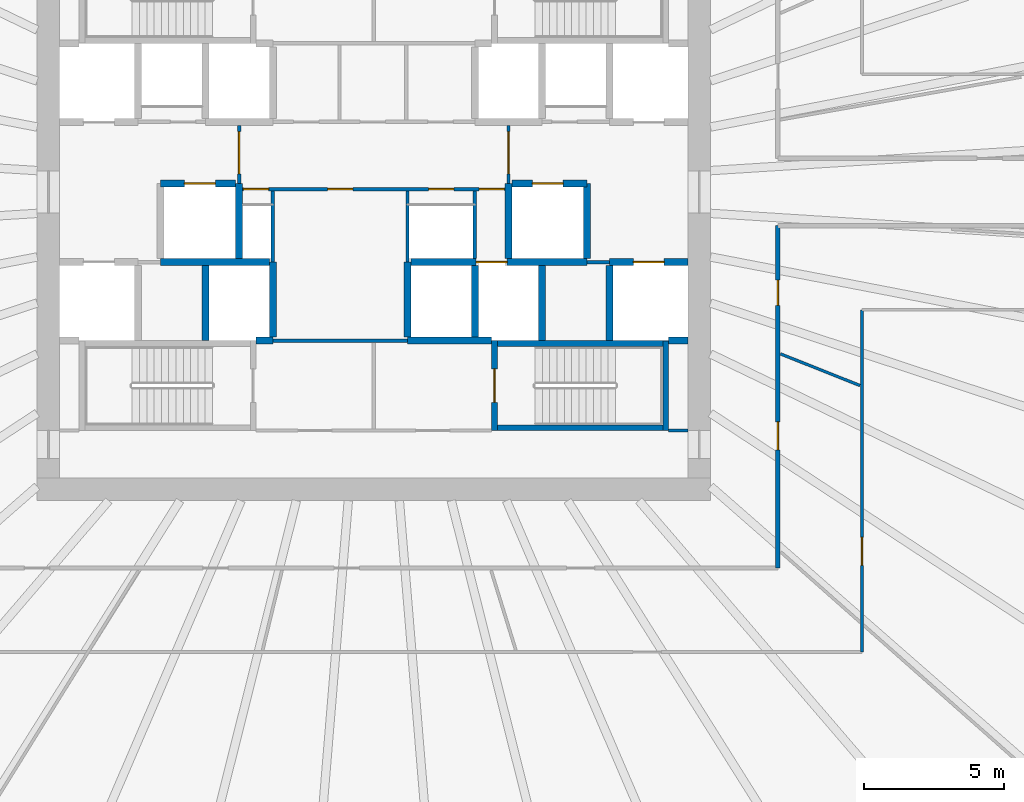
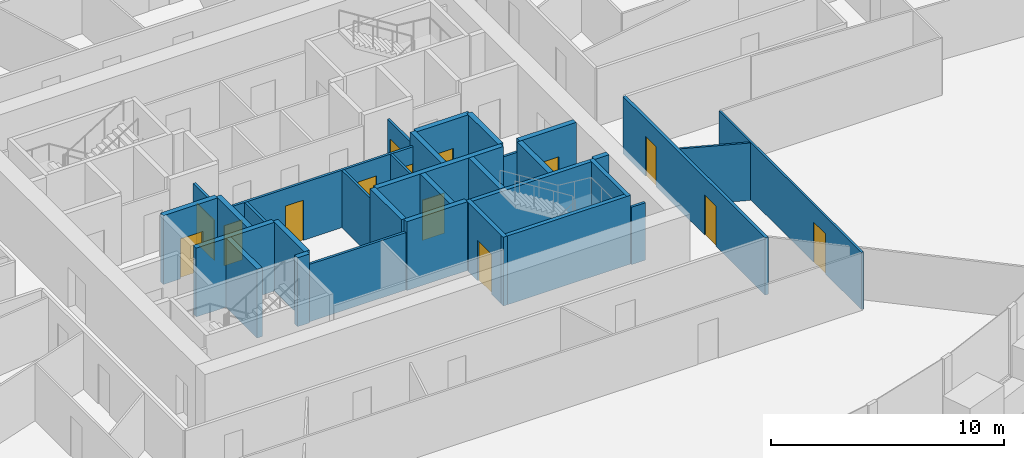
# One storey, part 7 of 11: 33 walls, 14 doors, 14 openings.
"""IFC4 building model written with IfcOpenShell, lengths in metres."""

from ifc_helpers import new_model, si_unit, direction, frame, frame_2d, origin, place, context, subcontext, project, spatial, rectangle, extrude, source, transform, mapped, material, layer, layer_set, type_object, element, fill, save


model = new_model("IFC4")

# Units and contexts
model_context = context("Model", 3, precision=1e-05, world=origin(), true_north=direction((0.0, 1.0)))
body_context = subcontext(model_context, "Body", "Model", "MODEL_VIEW")
ifc_project = project(units=[si_unit("LENGTHUNIT", "METRE"), si_unit("AREAUNIT", "SQUARE_METRE"), si_unit("VOLUMEUNIT", "CUBIC_METRE"), si_unit("PLANEANGLEUNIT", "RADIAN"), si_unit("MASSUNIT", "GRAM", prefix="KILO")], contexts=[model_context])

# Site, building, storey
site_placement = place(None, origin())
site = spatial("IfcSite", under=ifc_project, at=site_placement, CompositionType="ELEMENT")
building_placement = place(site_placement, origin())
building = spatial("IfcBuilding", under=site, at=building_placement, Name="Embergate Tower", CompositionType="ELEMENT")
storey_placement = place(building_placement, frame((0.0, 0.0, 143.699951171875)))
storey = spatial("IfcBuildingStorey", under=building, at=storey_placement, Name="L31", CompositionType="ELEMENT", Elevation=143.699951171875)

# Walls
ifc_material_1 = material(Name="Concrete C50", Category="concrete")
ifc_layer_1 = layer(ifc_material_1, 0.25)
ifc_layer_set_1 = layer_set([ifc_layer_1], Name="Concrete C50")
wall_type_1 = type_object("IfcWallType", Name="Hoistway wall reinforced concrete 250", PredefinedType="SHEAR", material=ifc_layer_set_1)
shared_shape_1 = source(origin(), body_context, "Body", "SweptSolid", [
    extrude(rectangle(XDim=2.675048828125, YDim=0.25, at=frame_2d((1.33740234375, 0.0))), origin(), (0.0, 0.0, 1.0), 3.60009765625),
])
for number, where, z_axis, x_axis, name in (
    (1, (-3.60009765625, -5.175048828125, 0.0), (0.0, 0.0, 1.0), (0.0, 1.0, 0.0), "HW-1 wall"),
    (2, (1.199951171875, -2.5, 0.0), (0.0, 0.0, 1.0), (0.0, -1.0, 0.0), "HW-1 wall"),
    (3, (-4.800048828125, 0.300048828125, 0.0), (0.0, 0.0, 1.0), (0.0, -1.0, 0.0), "HW-1 wall"),
    (4, (4.800048828125, -2.375, 0.0), (0.0, 0.0, 1.0), (0.0, 1.0, 0.0), "HW-1 wall"),
):
    element("IfcWall", number, at=place(storey_placement, frame(where, z_axis=z_axis, x_axis=x_axis)), inside=storey, type_object=wall_type_1, Name=name, PredefinedType="SHEAR", context=body_context, shape_type="MappedRepresentation", body=[
        mapped(shared_shape_1, transform((0.0, 0.0, 0.0))),
    ])

# Wall, opening, door
wall_1_placement = place(storey_placement, frame((-4.925048828125, 0.300048828125, 0.0), z_axis=(0.0, 0.0, 1.0), x_axis=(-1.0, 0.0, 0.0)))
wall_1 = element("IfcWall", 5, at=wall_1_placement, inside=storey, type_object=wall_type_1, Name="HW-1 wall", PredefinedType="SHEAR", context=body_context, shape_type="MappedRepresentation", body=[
    mapped(shared_shape_1, transform((0.0, 0.0, 0.0))),
])
shared_shape_2 = source(origin(), body_context, "Body", "SweptSolid", [
    extrude(rectangle(XDim=1.10009765625, YDim=2.10009765625, at=frame_2d((0.550048828125, 1.050048828125))), frame((0.0, 0.135009765625, 0.0), z_axis=(0.0, -1.0, 0.0), x_axis=(1.0, 0.0, 0.0)), (0.0, 0.0, 1.0), 0.27001953125),
])
opening_1_placement = place(wall_1_placement, frame((0.72509765625, 0.0, 0.0)))
opening_1 = element("IfcOpeningElement", 6, at=opening_1_placement, cuts=wall_1, Name="Opening LD", PredefinedType="OPENING", context=body_context, shape_type="MappedRepresentation", body=[
    mapped(shared_shape_2, transform((0.0, 0.0, 0.0))),
])
ifc_material_2 = material(Name="Landing door sliding 1100")
door_type_1 = type_object("IfcDoorType", Name="Landing door sliding 1100", OperationType="SLIDING_TO_LEFT", PredefinedType="DOOR", material=ifc_material_2)
shared_shape_3 = source(origin(), body_context, "Body", "SweptSolid", [
    extrude(rectangle(XDim=1.10009765625, YDim=2.10009765625, at=frame_2d((0.550048828125, 1.050048828125))), frame((0.0, 0.02490234375, 0.0), z_axis=(0.0, -1.0, 0.0), x_axis=(1.0, 0.0, 0.0)), (0.0, 0.0, 1.0), 0.050048828125),
])
door_1_placement = place(opening_1_placement, origin())
door_1 = element("IfcDoor", 7, at=door_1_placement, inside=storey, type_object=door_type_1, Name="LD door", OperationType="SLIDING_TO_RIGHT", OverallHeight=2.10009765625, OverallWidth=1.10009765625, PredefinedType="DOOR", context=body_context, shape_type="MappedRepresentation", body=[
    mapped(shared_shape_3, transform((0.0, 0.0, 0.0))),
])
fill(opening_1, door_1)

wall_2_placement = place(storey_placement, frame((7.60009765625, 0.300048828125, 0.0), z_axis=(0.0, 0.0, 1.0), x_axis=(-1.0, 0.0, 0.0)))
wall_2 = element("IfcWall", 8, at=wall_2_placement, inside=storey, type_object=wall_type_1, Name="HW-1 wall", PredefinedType="SHEAR", context=body_context, shape_type="MappedRepresentation", body=[
    mapped(shared_shape_1, transform((0.0, 0.0, 0.0))),
])
opening_2_placement = place(wall_2_placement, frame((0.85009765625, 0.0, 0.0)))
opening_2 = element("IfcOpeningElement", 9, at=opening_2_placement, cuts=wall_2, Name="Opening LD", PredefinedType="OPENING", context=body_context, shape_type="MappedRepresentation", body=[
    mapped(shared_shape_2, transform((0.0, 0.0, 0.0))),
])
door_2_placement = place(opening_2_placement, origin())
door_2 = element("IfcDoor", 10, at=door_2_placement, inside=storey, type_object=door_type_1, Name="LD door", OperationType="SLIDING_TO_LEFT", OverallHeight=2.10009765625, OverallWidth=1.10009765625, PredefinedType="DOOR", context=body_context, shape_type="MappedRepresentation", body=[
    mapped(shared_shape_3, transform((0.0, 0.0, 0.0))),
])
fill(opening_2, door_2)

# Walls
wall_3_placement = place(storey_placement, frame((7.60009765625, -2.375, 0.0), z_axis=(0.0, 0.0, 1.0), x_axis=(0.0, 1.0, 0.0)))
element("IfcWall", 11, at=wall_3_placement, inside=storey, type_object=wall_type_1, Name="HW-1 wall", PredefinedType="SHEAR", context=body_context, shape_type="MappedRepresentation", body=[
    mapped(shared_shape_1, transform((0.0, 0.0, 0.0))),
])
ifc_layer_2 = layer(ifc_material_1, 0.199951171875)
ifc_layer_set_2 = layer_set([ifc_layer_2], Name="Concrete C50")
wall_type_2 = type_object("IfcWallType", Name="Stair enclosure wall reinforced concrete 250", PredefinedType="SHEAR", material=ifc_layer_set_2)
shared_shape_4 = source(origin(), body_context, "Body", "SweptSolid", [
    extrude(rectangle(XDim=6.300048828125, YDim=0.199951171875, at=frame_2d((3.14990234375, 0.0))), origin(), (0.0, 0.0, 1.0), 3.60009765625),
])
for number, where, z_axis, x_axis, name in (
    (12, (4.199951171875, -5.39990234375, 0.0), (0.0, 0.0, 1.0), (1.0, 0.0, 0.0), "SE-1 wall"),
    (13, (4.199951171875, -8.39990234375, 0.0), (0.0, 0.0, 1.0), (1.0, 0.0, 0.0), "SE-1 wall"),
):
    element("IfcWall", number, at=place(storey_placement, frame(where, z_axis=z_axis, x_axis=x_axis)), inside=storey, type_object=wall_type_2, Name=name, PredefinedType="SHEAR", context=body_context, shape_type="MappedRepresentation", body=[
        mapped(shared_shape_4, transform((0.0, 0.0, 0.0))),
    ])
shared_shape_5 = source(origin(), body_context, "Body", "SweptSolid", [
    extrude(rectangle(XDim=2.550048828125, YDim=0.25, at=frame_2d((1.27490234375, 0.0))), origin(), (0.0, 0.0, 1.0), 3.60009765625),
])
wall_4_placement = place(storey_placement, frame((3.60009765625, -5.175048828125, 0.0), z_axis=(0.0, 0.0, 1.0), x_axis=(0.0, 1.0, 0.0)))
element("IfcWall", 14, at=wall_4_placement, inside=storey, type_object=wall_type_1, Name="HW-1 wall", PredefinedType="SHEAR", context=body_context, shape_type="MappedRepresentation", body=[
    mapped(shared_shape_5, transform((0.0, 0.0, 0.0))),
])

# Wall, opening, door
ifc_material_3 = material(Name="Core partition blockwork 120")
ifc_layer_3 = layer(ifc_material_3, 0.1201171875)
ifc_layer_set_3 = layer_set([ifc_layer_3], Name="Core partition blockwork 120")
wall_type_3 = type_object("IfcWallType", Name="Core partition blockwork 120", PredefinedType="PARTITIONING", material=ifc_layer_set_3)
shared_shape_6 = source(origin(), body_context, "Body", "SweptSolid", [
    extrude(rectangle(XDim=2.074951171875, YDim=0.1201171875, at=frame_2d((1.03759765625, 0.0))), origin(), (0.0, 0.0, 1.0), 3.0),
])
wall_5_placement = place(storey_placement, frame((-4.800048828125, 2.375, 0.0), z_axis=(0.0, 0.0, 1.0), x_axis=(0.0, -1.0, 0.0)))
wall_5 = element("IfcWall", 15, at=wall_5_placement, inside=storey, type_object=wall_type_3, Name="IP-3 wall", PredefinedType="PARTITIONING", context=body_context, shape_type="MappedRepresentation", body=[
    mapped(shared_shape_6, transform((0.0, 0.0, 0.0))),
])
shared_shape_7 = source(origin(), body_context, "Body", "SweptSolid", [
    extrude(rectangle(XDim=1.5, YDim=2.10009765625, at=frame_2d((0.75, 1.050048828125))), frame((0.0, 0.070068359375, 0.0), z_axis=(0.0, -1.0, 0.0), x_axis=(1.0, 0.0, 0.0)), (0.0, 0.0, 1.0), 0.14013671875),
])
opening_3_placement = place(wall_5_placement, frame((0.22509765625, 0.0, 0.0)))
opening_3 = element("IfcOpeningElement", 16, at=opening_3_placement, cuts=wall_5, Name="Opening IF-3", PredefinedType="OPENING", context=body_context, shape_type="MappedRepresentation", body=[
    mapped(shared_shape_7, transform((0.0, 0.0, 0.0))),
])
ifc_material_4 = material(Name="Lobby fire door pair 1500")
door_type_2 = type_object("IfcDoorType", Name="Lobby fire door pair 1500", OperationType="DOUBLE_DOOR_SINGLE_SWING", PredefinedType="DOOR", material=ifc_material_4)
shared_shape_8 = source(origin(), body_context, "Body", "SweptSolid", [
    extrude(rectangle(XDim=1.5, YDim=2.10009765625, at=frame_2d((0.75, 1.050048828125))), frame((0.0, 0.02490234375, 0.0), z_axis=(0.0, -1.0, 0.0), x_axis=(1.0, 0.0, 0.0)), (0.0, 0.0, 1.0), 0.050048828125),
])
door_3_placement = place(opening_3_placement, origin())
door_3 = element("IfcDoor", 17, at=door_3_placement, inside=storey, type_object=door_type_2, Name="IF-3 door", OperationType="DOUBLE_DOOR_SINGLE_SWING", OverallHeight=2.10009765625, OverallWidth=1.5, PredefinedType="DOOR", context=body_context, shape_type="MappedRepresentation", body=[
    mapped(shared_shape_8, transform((0.0, 0.0, 0.0))),
])
fill(opening_3, door_3)

wall_6_placement = place(storey_placement, frame((4.800048828125, 0.300048828125, 0.0), z_axis=(0.0, 0.0, 1.0), x_axis=(0.0, 1.0, 0.0)))
wall_6 = element("IfcWall", 18, at=wall_6_placement, inside=storey, type_object=wall_type_3, Name="IP-3 wall", PredefinedType="PARTITIONING", context=body_context, shape_type="MappedRepresentation", body=[
    mapped(shared_shape_6, transform((0.0, 0.0, 0.0))),
])
opening_4_placement = place(wall_6_placement, frame((0.35009765625, 0.0, 0.0)))
opening_4 = element("IfcOpeningElement", 19, at=opening_4_placement, cuts=wall_6, Name="Opening IF-3", PredefinedType="OPENING", context=body_context, shape_type="MappedRepresentation", body=[
    mapped(shared_shape_7, transform((0.0, 0.0, 0.0))),
])
door_4_placement = place(opening_4_placement, origin())
door_4 = element("IfcDoor", 20, at=door_4_placement, inside=storey, type_object=door_type_2, Name="IF-3 door", OperationType="DOUBLE_DOOR_SINGLE_SWING", OverallHeight=2.10009765625, OverallWidth=1.5, PredefinedType="DOOR", context=body_context, shape_type="MappedRepresentation", body=[
    mapped(shared_shape_8, transform((0.0, 0.0, 0.0))),
])
fill(opening_4, door_4)

shared_shape_9 = source(origin(), body_context, "Body", "SweptSolid", [
    extrude(rectangle(XDim=3.199951171875, YDim=0.199951171875, at=frame_2d((1.60009765625, 0.0))), origin(), (0.0, 0.0, 1.0), 3.60009765625),
])
wall_7_placement = place(storey_placement, frame((4.300048828125, -5.300048828125, 0.0), z_axis=(0.0, 0.0, 1.0), x_axis=(0.0, -1.0, 0.0)))
wall_7 = element("IfcWall", 21, at=wall_7_placement, inside=storey, type_object=wall_type_2, Name="SE-1 wall", PredefinedType="SHEAR", context=body_context, shape_type="MappedRepresentation", body=[
    mapped(shared_shape_9, transform((0.0, 0.0, 0.0))),
])
shared_shape_10 = source(origin(), body_context, "Body", "SweptSolid", [
    extrude(rectangle(XDim=1.199951171875, YDim=2.10009765625, at=frame_2d((0.60009765625, 1.050048828125))), frame((0.0, 0.10986328125, 0.0), z_axis=(0.0, -1.0, 0.0), x_axis=(1.0, 0.0, 0.0)), (0.0, 0.0, 1.0), 0.219970703125),
])
opening_5_placement = place(wall_7_placement, frame((1.0, 0.0, 0.0)))
opening_5 = element("IfcOpeningElement", 22, at=opening_5_placement, cuts=wall_7, Name="Opening IF-2", PredefinedType="OPENING", context=body_context, shape_type="MappedRepresentation", body=[
    mapped(shared_shape_10, transform((0.0, 0.0, 0.0))),
])
ifc_material_5 = material(Name="Stair enclosure door 1200")
door_type_3 = type_object("IfcDoorType", Name="Stair enclosure door 1200", OperationType="SINGLE_SWING_LEFT", PredefinedType="DOOR", material=ifc_material_5)
shared_shape_11 = source(origin(), body_context, "Body", "SweptSolid", [
    extrude(rectangle(XDim=1.199951171875, YDim=2.10009765625, at=frame_2d((0.60009765625, 1.050048828125))), frame((0.0, 0.02490234375, 0.0), z_axis=(0.0, -1.0, 0.0), x_axis=(1.0, 0.0, 0.0)), (0.0, 0.0, 1.0), 0.050048828125),
])
door_5_placement = place(opening_5_placement, origin())
door_5 = element("IfcDoor", 23, at=door_5_placement, inside=storey, type_object=door_type_3, Name="IF-2 door", OperationType="SINGLE_SWING_LEFT", OverallHeight=2.10009765625, OverallWidth=1.199951171875, PredefinedType="DOOR", context=body_context, shape_type="MappedRepresentation", body=[
    mapped(shared_shape_11, transform((0.0, 0.0, 0.0))),
])
fill(opening_5, door_5)

# Wall, openings, doors
ifc_material_6 = material(Name="Corridor wall dry-lined 150")
ifc_layer_4 = layer(ifc_material_6, 0.14990234375)
ifc_layer_set_4 = layer_set([ifc_layer_4], Name="Corridor wall dry-lined 150")
wall_type_4 = type_object("IfcWallType", Name="Corridor wall dry-lined 150", PredefinedType="PARTITIONING", material=ifc_layer_set_4)
shared_shape_12 = source(origin(), body_context, "Body", "SweptSolid", [
    extrude(rectangle(XDim=12.199951171875, YDim=0.14990234375, at=frame_2d((6.10009765625, 0.0))), origin(), (0.0, 0.0, 1.0), 3.0),
])
wall_8_placement = place(storey_placement, frame((14.39990234375, -1.199951171875, 0.0), z_axis=(0.0, 0.0, 1.0), x_axis=(0.0, -1.0, 0.0)))
wall_8 = element("IfcWall", 24, at=wall_8_placement, inside=storey, type_object=wall_type_4, Name="IP-2 wall", PredefinedType="PARTITIONING", context=body_context, shape_type="MappedRepresentation", body=[
    mapped(shared_shape_12, transform((0.0, 0.0, 0.0))),
])
shared_shape_13 = source(origin(), body_context, "Body", "SweptSolid", [
    extrude(rectangle(XDim=1.0, YDim=2.10009765625, at=frame_2d((0.5, 1.050048828125))), frame((0.0, 0.0849609375, 0.0), z_axis=(0.0, -1.0, 0.0), x_axis=(1.0, 0.0, 0.0)), (0.0, 0.0, 1.0), 0.169921875),
])
opening_6_placement = place(wall_8_placement, frame((6.993896484375, 0.0, 0.0)))
opening_6 = element("IfcOpeningElement", 25, at=opening_6_placement, cuts=wall_8, Name="Opening ID-2", PredefinedType="OPENING", context=body_context, shape_type="MappedRepresentation", body=[
    mapped(shared_shape_13, transform((0.0, 0.0, 0.0))),
])
shared_shape_14 = source(origin(), body_context, "Body", "SweptSolid", [
    extrude(rectangle(XDim=0.89990234375, YDim=2.10009765625, at=frame_2d((0.449951171875, 1.050048828125))), frame((0.0, 0.0849609375, 0.0), z_axis=(0.0, -1.0, 0.0), x_axis=(1.0, 0.0, 0.0)), (0.0, 0.0, 1.0), 0.169921875),
])
opening_7_placement = place(wall_8_placement, frame((1.93994140625, 0.0, 0.0)))
opening_7 = element("IfcOpeningElement", 26, at=opening_7_placement, cuts=wall_8, Name="Opening IF-1c", PredefinedType="OPENING", context=body_context, shape_type="MappedRepresentation", body=[
    mapped(shared_shape_14, transform((0.0, 0.0, 0.0))),
])
ifc_material_7 = material(Name="Escape fire door 900")
door_type_4 = type_object("IfcDoorType", Name="Escape fire door 900", OperationType="SINGLE_SWING_LEFT", PredefinedType="DOOR", material=ifc_material_7)
shared_shape_15 = source(origin(), body_context, "Body", "SweptSolid", [
    extrude(rectangle(XDim=0.89990234375, YDim=2.10009765625, at=frame_2d((0.449951171875, 1.050048828125))), frame((0.0, 0.02490234375, 0.0), z_axis=(0.0, -1.0, 0.0), x_axis=(1.0, 0.0, 0.0)), (0.0, 0.0, 1.0), 0.050048828125),
])
door_6_placement = place(opening_7_placement, origin())
door_6 = element("IfcDoor", 27, at=door_6_placement, inside=storey, type_object=door_type_4, Name="IF-1 door", OperationType="SINGLE_SWING_RIGHT", OverallHeight=2.10009765625, OverallWidth=0.89990234375, PredefinedType="DOOR", context=body_context, shape_type="MappedRepresentation", body=[
    mapped(shared_shape_15, transform((0.0, 0.0, 0.0))),
])
fill(opening_7, door_6)
ifc_material_8 = material(Name="Interior door 1000")
door_type_5 = type_object("IfcDoorType", Name="Interior door 1000", OperationType="SINGLE_SWING_LEFT", PredefinedType="DOOR", material=ifc_material_8)
shared_shape_16 = source(origin(), body_context, "Body", "SweptSolid", [
    extrude(rectangle(XDim=1.0, YDim=2.10009765625, at=frame_2d((0.5, 1.050048828125))), frame((0.0, 0.02490234375, 0.0), z_axis=(0.0, -1.0, 0.0), x_axis=(1.0, 0.0, 0.0)), (0.0, 0.0, 1.0), 0.050048828125),
])
door_7_placement = place(opening_6_placement, origin())
door_7 = element("IfcDoor", 28, at=door_7_placement, inside=storey, type_object=door_type_5, Name="ID-2 door", OperationType="SINGLE_SWING_LEFT", OverallHeight=2.10009765625, OverallWidth=1.0, PredefinedType="DOOR", context=body_context, shape_type="MappedRepresentation", body=[
    mapped(shared_shape_16, transform((0.0, 0.0, 0.0))),
])
fill(opening_6, door_7)

# Wall, opening, door
ifc_material_9 = material(Name="Partition dry-lined 100")
ifc_layer_5 = layer(ifc_material_9, 0.10009765625)
ifc_layer_set_5 = layer_set([ifc_layer_5], Name="Partition dry-lined 100")
wall_type_5 = type_object("IfcWallType", Name="Partition dry-lined 100", PredefinedType="PARTITIONING", material=ifc_layer_set_5)
shared_shape_17 = source(origin(), body_context, "Body", "SweptSolid", [
    extrude(rectangle(XDim=12.199951171875, YDim=0.10009765625, at=frame_2d((6.10009765625, 0.0))), origin(), (0.0, 0.0, 1.0), 3.0),
])
wall_9_placement = place(storey_placement, frame((17.39990234375, -4.199951171875, 0.0), z_axis=(0.0, 0.0, 1.0), x_axis=(0.0, -1.0, 0.0)))
wall_9 = element("IfcWall", 29, at=wall_9_placement, inside=storey, type_object=wall_type_5, Name="IP-1 wall", PredefinedType="PARTITIONING", context=body_context, shape_type="MappedRepresentation", body=[
    mapped(shared_shape_17, transform((0.0, 0.0, 0.0))),
])
shared_shape_18 = source(origin(), body_context, "Body", "SweptSolid", [
    extrude(rectangle(XDim=1.0, YDim=2.10009765625, at=frame_2d((0.5, 1.050048828125))), frame((0.0, 0.06005859375, 0.0), z_axis=(0.0, -1.0, 0.0), x_axis=(1.0, 0.0, 0.0)), (0.0, 0.0, 1.0), 0.1201171875),
])
opening_8_placement = place(wall_9_placement, frame((8.10498046875, 0.0, 0.0)))
opening_8 = element("IfcOpeningElement", 30, at=opening_8_placement, cuts=wall_9, Name="Opening ID-2", PredefinedType="OPENING", context=body_context, shape_type="MappedRepresentation", body=[
    mapped(shared_shape_18, transform((0.0, 0.0, 0.0))),
])
door_8_placement = place(opening_8_placement, origin())
door_8 = element("IfcDoor", 31, at=door_8_placement, inside=storey, type_object=door_type_5, Name="ID-2 door", OperationType="SINGLE_SWING_RIGHT", OverallHeight=2.10009765625, OverallWidth=1.0, PredefinedType="DOOR", context=body_context, shape_type="MappedRepresentation", body=[
    mapped(shared_shape_16, transform((0.0, 0.0, 0.0))),
])
fill(opening_8, door_8)

# Wall
shared_shape_19 = source(origin(), body_context, "Body", "SweptSolid", [
    extrude(rectangle(XDim=3.0546875, YDim=0.10009765625, at=frame_2d((1.52734375, 0.0))), origin(), (0.0, 0.0, 1.0), 3.0),
])
wall_10_placement = place(storey_placement, frame((17.3310546875, -6.89892578125, 0.0), z_axis=(0.0, 0.0, 1.0), x_axis=(-0.929081750978, 0.369874438153, 0.0)))
element("IfcWall", 32, at=wall_10_placement, inside=storey, type_object=wall_type_5, Name="IP-1 wall", PredefinedType="PARTITIONING", context=body_context, shape_type="MappedRepresentation", body=[
    mapped(shared_shape_19, transform((0.0, 0.0, 0.0))),
])

# Wall, opening, door
shared_shape_20 = source(origin(), body_context, "Body", "SweptSolid", [
    extrude(rectangle(XDim=2.800048828125, YDim=0.25, at=frame_2d((1.39990234375, 0.0))), origin(), (0.0, 0.0, 1.0), 3.60009765625),
])
wall_11_placement = place(storey_placement, frame((11.199951171875, -2.5, 0.0), z_axis=(0.0, 0.0, 1.0), x_axis=(-1.0, 0.0, 0.0)))
wall_11 = element("IfcWall", 33, at=wall_11_placement, inside=storey, type_object=wall_type_1, Name="HW-1 wall", PredefinedType="SHEAR", context=body_context, shape_type="MappedRepresentation", body=[
    mapped(shared_shape_20, transform((0.0, 0.0, 0.0))),
])
opening_9_placement = place(wall_11_placement, frame((0.85009765625, 0.0, 0.0)))
opening_9 = element("IfcOpeningElement", 34, at=opening_9_placement, cuts=wall_11, Name="Opening LD", PredefinedType="OPENING", context=body_context, shape_type="MappedRepresentation", body=[
    mapped(shared_shape_2, transform((0.0, 0.0, 0.0))),
])
door_9_placement = place(opening_9_placement, origin())
door_9 = element("IfcDoor", 35, at=door_9_placement, inside=storey, type_object=door_type_1, Name="LD door", OperationType="SLIDING_TO_RIGHT", OverallHeight=2.10009765625, OverallWidth=1.10009765625, PredefinedType="DOOR", context=body_context, shape_type="MappedRepresentation", body=[
    mapped(shared_shape_3, transform((0.0, 0.0, 0.0))),
])
fill(opening_9, door_9)

# Walls
shared_shape_21 = source(origin(), body_context, "Body", "SweptSolid", [
    extrude(rectangle(XDim=0.599853515625, YDim=0.25, at=frame_2d((0.2998046875, 0.0))), origin(), (0.0, 0.0, 1.0), 3.60009765625),
])
wall_12_placement = place(storey_placement, frame((-4.199951171875, -5.300048828125, 0.0), z_axis=(0.0, 0.0, 1.0), x_axis=(1.0, 0.0, 0.0)))
element("IfcWall", 36, at=wall_12_placement, inside=storey, type_object=wall_type_1, Name="HW-1 wall", PredefinedType="SHEAR", context=body_context, shape_type="MappedRepresentation", body=[
    mapped(shared_shape_21, transform((0.0, 0.0, 0.0))),
])
shared_shape_22 = source(origin(), body_context, "Body", "SweptSolid", [
    extrude(rectangle(XDim=3.872802734375, YDim=0.25, at=frame_2d((1.9365234375, 0.0))), origin(), (0.0, 0.0, 1.0), 3.60009765625),
])
wall_13_placement = place(storey_placement, frame((-3.72509765625, -2.5, 0.0), z_axis=(0.0, 0.0, 1.0), x_axis=(-1.0, 0.0, 0.0)))
element("IfcWall", 37, at=wall_13_placement, inside=storey, type_object=wall_type_1, Name="HW-1 wall", PredefinedType="SHEAR", context=body_context, shape_type="MappedRepresentation", body=[
    mapped(shared_shape_22, transform((0.0, 0.0, 0.0))),
])

# Wall, opening, door
shared_shape_23 = source(origin(), body_context, "Body", "SweptSolid", [
    extrude(rectangle(XDim=6.27294921875, YDim=0.25, at=frame_2d((3.136474609375, 0.0))), origin(), (0.0, 0.0, 1.0), 3.60009765625),
])
wall_14_placement = place(storey_placement, frame((7.597900390625, -2.5, 0.0), z_axis=(0.0, 0.0, 1.0), x_axis=(-1.0, 0.0, 0.0)))
wall_14 = element("IfcWall", 38, at=wall_14_placement, inside=storey, type_object=wall_type_1, Name="HW-1 wall", PredefinedType="SHEAR", context=body_context, shape_type="MappedRepresentation", body=[
    mapped(shared_shape_23, transform((0.0, 0.0, 0.0))),
])
opening_10_placement = place(wall_14_placement, frame((2.847900390625, 0.0, 0.0)))
opening_10 = element("IfcOpeningElement", 39, at=opening_10_placement, cuts=wall_14, Name="Opening LD", PredefinedType="OPENING", context=body_context, shape_type="MappedRepresentation", body=[
    mapped(shared_shape_2, transform((0.0, 0.0, 0.0))),
])
door_10_placement = place(opening_10_placement, origin())
door_10 = element("IfcDoor", 40, at=door_10_placement, inside=storey, type_object=door_type_1, Name="LD door", OperationType="SLIDING_TO_RIGHT", OverallHeight=2.10009765625, OverallWidth=1.10009765625, PredefinedType="DOOR", context=body_context, shape_type="MappedRepresentation", body=[
    mapped(shared_shape_3, transform((0.0, 0.0, 0.0))),
])
fill(opening_10, door_10)

# Wall
shared_shape_24 = source(origin(), body_context, "Body", "SweptSolid", [
    extrude(rectangle(XDim=3.0, YDim=0.25, at=frame_2d((1.5, 0.0))), origin(), (0.0, 0.0, 1.0), 3.60009765625),
])
wall_15_placement = place(storey_placement, frame((1.199951171875, -5.300048828125, 0.0), z_axis=(0.0, 0.0, 1.0), x_axis=(1.0, 0.0, 0.0)))
element("IfcWall", 41, at=wall_15_placement, inside=storey, type_object=wall_type_1, Name="HW-1 wall", PredefinedType="SHEAR", context=body_context, shape_type="MappedRepresentation", body=[
    mapped(shared_shape_24, transform((0.0, 0.0, 0.0))),
])

# Wall, openings, doors
shared_shape_25 = source(origin(), body_context, "Body", "SweptSolid", [
    extrude(rectangle(XDim=9.35009765625, YDim=0.1201171875, at=frame_2d((4.675048828125, 0.0))), origin(), (0.0, 0.0, 1.0), 3.0),
])
wall_16_placement = place(storey_placement, frame((-4.675048828125, 0.10009765625, 0.0), z_axis=(0.0, 0.0, 1.0), x_axis=(1.0, 0.0, 0.0)))
wall_16 = element("IfcWall", 42, at=wall_16_placement, inside=storey, type_object=wall_type_3, Name="IP-3 wall", PredefinedType="PARTITIONING", context=body_context, shape_type="MappedRepresentation", body=[
    mapped(shared_shape_25, transform((0.0, 0.0, 0.0))),
])
shared_shape_26 = source(origin(), body_context, "Body", "SweptSolid", [
    extrude(rectangle(XDim=0.89990234375, YDim=2.10009765625, at=frame_2d((0.449951171875, 1.050048828125))), frame((0.0, 0.070068359375, 0.0), z_axis=(0.0, -1.0, 0.0), x_axis=(1.0, 0.0, 0.0)), (0.0, 0.0, 1.0), 0.14013671875),
])
opening_11_placement = place(wall_16_placement, frame((8.425048828125, 0.0, 0.0)))
opening_11 = element("IfcOpeningElement", 43, at=opening_11_placement, cuts=wall_16, Name="Opening IF-3c", PredefinedType="OPENING", context=body_context, shape_type="MappedRepresentation", body=[
    mapped(shared_shape_26, transform((0.0, 0.0, 0.0))),
])
opening_12_placement = place(wall_16_placement, frame((0.02490234375, 0.0, 0.0)))
opening_12 = element("IfcOpeningElement", 44, at=opening_12_placement, cuts=wall_16, Name="Opening ID-1", PredefinedType="OPENING", context=body_context, shape_type="MappedRepresentation", body=[
    mapped(shared_shape_26, transform((0.0, 0.0, 0.0))),
])
opening_13_placement = place(wall_16_placement, frame((6.625, 0.0, 0.0)))
opening_13 = element("IfcOpeningElement", 45, at=opening_13_placement, cuts=wall_16, Name="Opening ID-1", PredefinedType="OPENING", context=body_context, shape_type="MappedRepresentation", body=[
    mapped(shared_shape_26, transform((0.0, 0.0, 0.0))),
])
opening_14_placement = place(wall_16_placement, frame((3.02490234375, 0.0, 0.0)))
opening_14 = element("IfcOpeningElement", 46, at=opening_14_placement, cuts=wall_16, Name="Opening ID-1", PredefinedType="OPENING", context=body_context, shape_type="MappedRepresentation", body=[
    mapped(shared_shape_26, transform((0.0, 0.0, 0.0))),
])
ifc_material_10 = material(Name="Lobby fire door pair 900")
door_type_6 = type_object("IfcDoorType", Name="Lobby fire door pair 900", OperationType="DOUBLE_DOOR_SINGLE_SWING", PredefinedType="DOOR", material=ifc_material_10)
door_11_placement = place(opening_11_placement, origin())
door_11 = element("IfcDoor", 47, at=door_11_placement, inside=storey, type_object=door_type_6, Name="IF-3 door", OperationType="DOUBLE_DOOR_SINGLE_SWING", OverallHeight=2.10009765625, OverallWidth=0.89990234375, PredefinedType="DOOR", context=body_context, shape_type="MappedRepresentation", body=[
    mapped(shared_shape_15, transform((0.0, 0.0, 0.0))),
])
fill(opening_11, door_11)
ifc_material_11 = material(Name="Interior door 900")
door_type_7 = type_object("IfcDoorType", Name="Interior door 900", OperationType="SINGLE_SWING_LEFT", PredefinedType="DOOR", material=ifc_material_11)
door_12_placement = place(opening_12_placement, origin())
door_12 = element("IfcDoor", 48, at=door_12_placement, inside=storey, type_object=door_type_7, Name="ID-1 door", OperationType="SINGLE_SWING_LEFT", OverallHeight=2.10009765625, OverallWidth=0.89990234375, PredefinedType="DOOR", context=body_context, shape_type="MappedRepresentation", body=[
    mapped(shared_shape_15, transform((0.0, 0.0, 0.0))),
])
fill(opening_12, door_12)
door_13_placement = place(opening_13_placement, origin())
door_13 = element("IfcDoor", 49, at=door_13_placement, inside=storey, type_object=door_type_7, Name="ID-1 door", OperationType="SINGLE_SWING_LEFT", OverallHeight=2.10009765625, OverallWidth=0.89990234375, PredefinedType="DOOR", context=body_context, shape_type="MappedRepresentation", body=[
    mapped(shared_shape_15, transform((0.0, 0.0, 0.0))),
])
fill(opening_13, door_13)
door_14_placement = place(opening_14_placement, origin())
door_14 = element("IfcDoor", 50, at=door_14_placement, inside=storey, type_object=door_type_7, Name="ID-1 door", OperationType="SINGLE_SWING_RIGHT", OverallHeight=2.10009765625, OverallWidth=0.89990234375, PredefinedType="DOOR", context=body_context, shape_type="MappedRepresentation", body=[
    mapped(shared_shape_15, transform((0.0, 0.0, 0.0))),
])
fill(opening_14, door_14)

# Walls
shared_shape_27 = source(origin(), body_context, "Body", "SweptSolid", [
    extrude(rectangle(XDim=2.5400390625, YDim=0.1201171875, at=frame_2d((1.27001953125, 0.0))), origin(), (0.0, 0.0, 1.0), 3.0),
])
for number, where, z_axis, x_axis, name in (
    (51, (-3.60009765625, -2.5, 0.0), (0.0, 0.0, 1.0), (0.0, 1.0, 0.0), "IP-3 wall"),
    (52, (1.199951171875, 0.0400390625, 0.0), (0.0, 0.0, 1.0), (0.0, -1.0, 0.0), "IP-3 wall"),
):
    element("IfcWall", number, at=place(storey_placement, frame(where, z_axis=z_axis, x_axis=x_axis)), inside=storey, type_object=wall_type_3, Name=name, PredefinedType="PARTITIONING", context=body_context, shape_type="MappedRepresentation", body=[
        mapped(shared_shape_27, transform((0.0, 0.0, 0.0))),
    ])
shared_shape_28 = source(origin(), body_context, "Body", "SweptSolid", [
    extrude(rectangle(XDim=2.4150390625, YDim=0.1201171875, at=frame_2d((1.20751953125, 0.0))), origin(), (0.0, 0.0, 1.0), 3.0),
])
wall_17_placement = place(storey_placement, frame((3.60009765625, -2.375, 0.0), z_axis=(0.0, 0.0, 1.0), x_axis=(0.0, 1.0, 0.0)))
element("IfcWall", 53, at=wall_17_placement, inside=storey, type_object=wall_type_3, Name="IP-3 wall", PredefinedType="PARTITIONING", context=body_context, shape_type="MappedRepresentation", body=[
    mapped(shared_shape_28, transform((0.0, 0.0, 0.0))),
])
shared_shape_29 = source(origin(), body_context, "Body", "SweptSolid", [
    extrude(rectangle(XDim=4.800048828125, YDim=0.1201171875, at=frame_2d((2.39990234375, 0.0))), origin(), (0.0, 0.0, 1.0), 3.0),
])
wall_18_placement = place(storey_placement, frame((1.199951171875, -5.300048828125, 0.0), z_axis=(0.0, 0.0, 1.0), x_axis=(-1.0, 0.0, 0.0)))
element("IfcWall", 54, at=wall_18_placement, inside=storey, type_object=wall_type_3, Name="IP-3 wall", PredefinedType="PARTITIONING", context=body_context, shape_type="MappedRepresentation", body=[
    mapped(shared_shape_29, transform((0.0, 0.0, 0.0))),
])
shared_shape_30 = source(origin(), body_context, "Body", "SweptSolid", [
    extrude(rectangle(XDim=3.196044921875, YDim=0.199951171875, at=frame_2d((1.59814453125, 0.0))), origin(), (0.0, 0.0, 1.0), 3.60009765625),
])
wall_19_placement = place(storey_placement, frame((10.39990234375, -8.498046875, 0.0), z_axis=(0.0, 0.0, 1.0), x_axis=(0.0, 1.0, 0.0)))
element("IfcWall", 55, at=wall_19_placement, inside=storey, type_object=wall_type_2, Name="SE-1 wall", PredefinedType="SHEAR", context=body_context, shape_type="MappedRepresentation", body=[
    mapped(shared_shape_30, transform((0.0, 0.0, 0.0))),
])
shared_shape_31 = source(origin(), body_context, "Body", "SweptSolid", [
    extrude(rectangle(XDim=0.697998046875, YDim=0.25, at=frame_2d((0.34912109375, 0.0))), origin(), (0.0, 0.0, 1.0), 3.60009765625),
])
wall_20_placement = place(storey_placement, frame((10.501953125, -5.300048828125, 0.0), z_axis=(0.0, 0.0, 1.0), x_axis=(1.0, 0.0, 0.0)))
element("IfcWall", 56, at=wall_20_placement, inside=storey, type_object=wall_type_1, Name="HW-1 wall", PredefinedType="SHEAR", context=body_context, shape_type="MappedRepresentation", body=[
    mapped(shared_shape_31, transform((0.0, 0.0, 0.0))),
])
shared_shape_32 = source(origin(), body_context, "Body", "SweptSolid", [
    extrude(rectangle(XDim=2.671142578125, YDim=0.25, at=frame_2d((1.33544921875, 0.0))), origin(), (0.0, 0.0, 1.0), 3.60009765625),
])
for number, where, z_axis, x_axis, name in (
    (57, (-6.0, -2.626953125, 0.0), (0.0, 0.0, 1.0), (0.0, -1.0, 0.0), "HW-1 wall"),
    (58, (6.0, -5.298095703125, 0.0), (0.0, 0.0, 1.0), (0.0, 1.0, 0.0), "HW-1 wall"),
    (59, (8.39990234375, -2.626953125, 0.0), (0.0, 0.0, 1.0), (0.0, -1.0, 0.0), "HW-1 wall"),
):
    element("IfcWall", number, at=place(storey_placement, frame(where, z_axis=z_axis, x_axis=x_axis)), inside=storey, type_object=wall_type_1, Name=name, PredefinedType="SHEAR", context=body_context, shape_type="MappedRepresentation", body=[
        mapped(shared_shape_32, transform((0.0, 0.0, 0.0))),
    ])
shared_shape_33 = source(origin(), body_context, "Body", "SweptSolid", [
    extrude(rectangle(XDim=0.7958984375, YDim=0.1201171875, at=frame_2d((0.39794921875, 0.0))), origin(), (0.0, 0.0, 1.0), 3.0),
])
wall_21_placement = place(storey_placement, frame((7.60205078125, -2.5, 0.0), z_axis=(0.0, 0.0, 1.0), x_axis=(1.0, 0.0, 0.0)))
element("IfcWall", 60, at=wall_21_placement, inside=storey, type_object=wall_type_3, Name="IP-3 wall", PredefinedType="PARTITIONING", context=body_context, shape_type="MappedRepresentation", body=[
    mapped(shared_shape_33, transform((0.0, 0.0, 0.0))),
])
shared_shape_34 = source(origin(), body_context, "Body", "SweptSolid", [
    extrude(rectangle(XDim=0.697998046875, YDim=0.1201171875, at=frame_2d((0.34912109375, 0.0))), origin(), (0.0, 0.0, 1.0), 3.0),
])
wall_22_placement = place(storey_placement, frame((11.199951171875, -8.5, 0.0), z_axis=(0.0, 0.0, 1.0), x_axis=(-1.0, 0.0, 0.0)))
element("IfcWall", 61, at=wall_22_placement, inside=storey, type_object=wall_type_3, Name="IP-3 wall", PredefinedType="PARTITIONING", context=body_context, shape_type="MappedRepresentation", body=[
    mapped(shared_shape_34, transform((0.0, 0.0, 0.0))),
])

save(model, "model.ifc")
